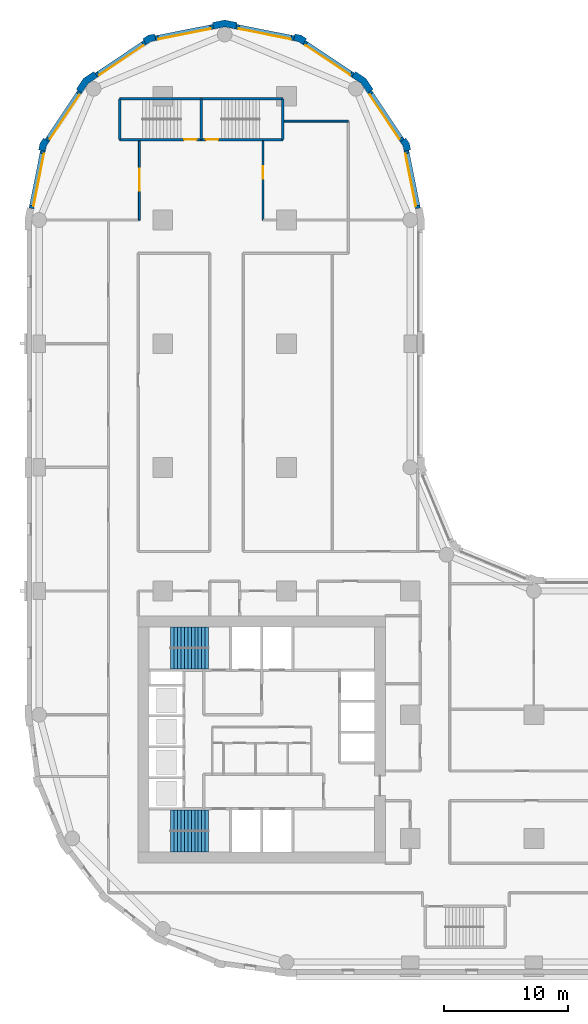
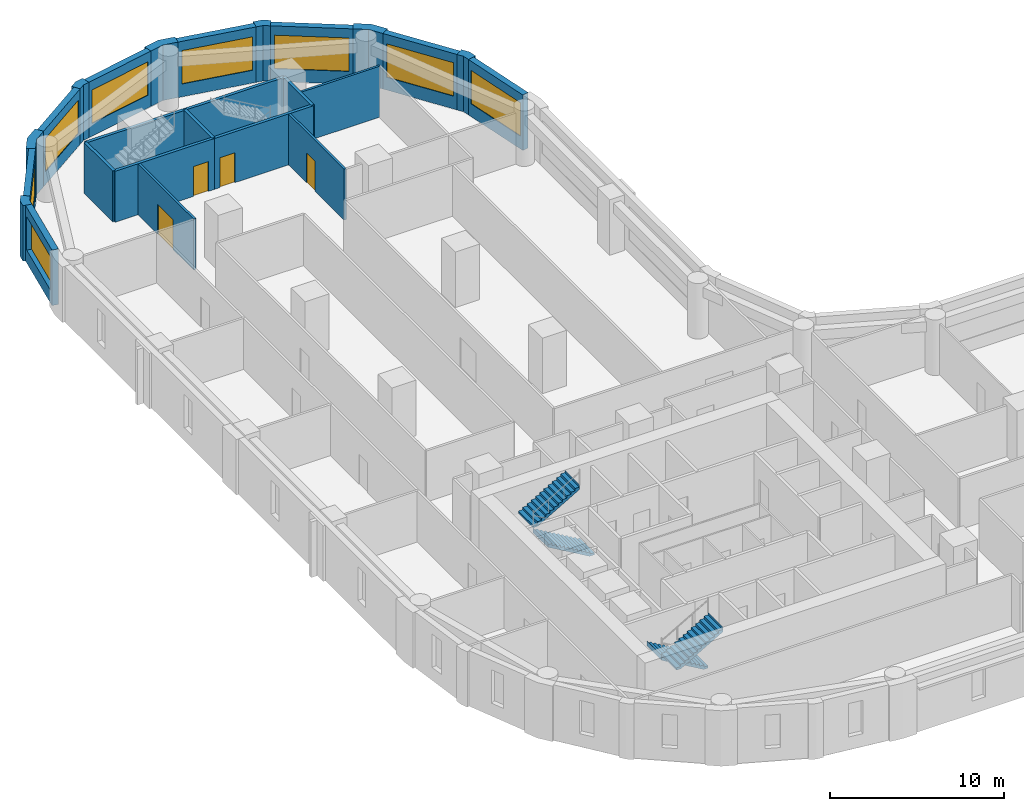
# One storey, part 7 of 10: 25 walls, 8 windows, 4 doors, 4 stair flights, 12 openings, 2 elements without a shape of their own.
"""IFC4 building model written with IfcOpenShell, lengths in metres."""

from ifc_helpers import new_model, si_unit, direction, frame, frame_2d, origin, place, context, subcontext, project, spatial, polyline, rectangle, outline, extrude, material, layer, layer_set, type_object, element, fill, aggregate, save


model = new_model("IFC4")

# Units and contexts
model_context = context("Model", 3, precision=1e-05, world=origin(), true_north=direction((0.0, 1.0)))
body_context = subcontext(model_context, "Body", "Model", "MODEL_VIEW")
ifc_project = project(units=[si_unit("LENGTHUNIT", "METRE"), si_unit("AREAUNIT", "SQUARE_METRE"), si_unit("VOLUMEUNIT", "CUBIC_METRE"), si_unit("PLANEANGLEUNIT", "RADIAN"), si_unit("MASSUNIT", "GRAM", prefix="KILO")], contexts=[model_context])

# Site, building, storey
site_placement = place(None, origin())
site = spatial("IfcSite", under=ifc_project, at=site_placement, CompositionType="ELEMENT")
building_placement = place(site_placement, origin())
building = spatial("IfcBuilding", under=site, at=building_placement, Name="Qaws Garden Tower", CompositionType="ELEMENT")
storey_placement = place(building_placement, frame((0.0, 0.0, 70.5)))
storey = spatial("IfcBuildingStorey", under=building, at=storey_placement, Name="L17", CompositionType="ELEMENT", Elevation=70.5)

# Wall, opening, window
ifc_material_1 = material(Name="Clay facing brick masonry", Category="masonry")
ifc_layer_1 = layer(ifc_material_1, 0.39990234375)
ifc_layer_set_1 = layer_set([ifc_layer_1], Name="Clay facing brick masonry")
wall_type_1 = type_object("IfcWallType", Name="Brick infill wall 400", PredefinedType="SOLIDWALL", material=ifc_layer_set_1)
wall_1_placement = place(storey_placement, frame((30.628662109375, 60.940673828125, 0.0), z_axis=(0.0, 0.0, 1.0), x_axis=(-0.195098533057, 0.98078364709, 0.0)))
wall_1 = element("IfcWall", 1, at=wall_1_placement, inside=storey, type_object=wall_type_1, Name="E-L17-infill-15", PredefinedType="SOLIDWALL", context=body_context, shape_type="SweptSolid", body=[
    extrude(rectangle(XDim=4.752685546875, YDim=0.39990234375, at=frame_2d((2.37646484375, 0.0))), origin(), (0.0, 0.0, 1.0), 3.89990234375),
])
opening_1_placement = place(wall_1_placement, frame((0.226318359375, 0.0, 0.89990234375)))
opening_1 = element("IfcOpeningElement", 2, at=opening_1_placement, cuts=wall_1, Name="Opening W06", PredefinedType="OPENING", context=body_context, shape_type="SweptSolid", body=[
    extrude(rectangle(XDim=4.300048828125, YDim=2.35009765625, at=frame_2d((2.14990234375, 1.175048828125))), frame((0.0, 0.2099609375, 0.0), z_axis=(0.0, -1.0, 0.0), x_axis=(1.0, 0.0, 0.0)), (0.0, 0.0, 1.0), 0.419921875),
])
ifc_material_2 = material(Name="Aluminium framed window, clear glazing", Category="aluminium")
window_type = type_object("IfcWindowType", Name="Ribbon window 4300 x 2350", PartitioningType="DOUBLE_PANEL_VERTICAL", PredefinedType="WINDOW", material=ifc_material_2)
window_1_placement = place(opening_1_placement, origin())
window_1 = element("IfcWindow", 3, at=window_1_placement, inside=storey, type_object=window_type, Name="E-L17-window-15-0", OverallHeight=2.35009765625, OverallWidth=4.300048828125, PartitioningType="SINGLE_PANEL", PredefinedType="WINDOW", context=body_context, shape_type="SweptSolid", body=[
    extrude(rectangle(XDim=4.300048828125, YDim=2.35009765625, at=frame_2d((2.14990234375, 1.175048828125))), frame((0.0, 0.159912109375, 0.0), z_axis=(0.0, -1.0, 0.0), x_axis=(1.0, 0.0, 0.0)), (0.0, 0.0, 1.0), 0.06005859375),
])
fill(opening_1, window_1)

wall_2_placement = place(storey_placement, frame((29.356689453125, 66.43408203125, 0.0), z_axis=(0.0, 0.0, 1.0), x_axis=(-0.555541552266, 0.831488775454, 0.0)))
wall_2 = element("IfcWall", 4, at=wall_2_placement, inside=storey, type_object=wall_type_1, Name="E-L17-infill-16", PredefinedType="SOLIDWALL", context=body_context, shape_type="SweptSolid", body=[
    extrude(rectangle(XDim=4.752685546875, YDim=0.39990234375, at=frame_2d((2.37646484375, 0.0))), origin(), (0.0, 0.0, 1.0), 3.89990234375),
])
opening_2_placement = place(wall_2_placement, frame((0.226318359375, 0.0, 0.89990234375)))
opening_2 = element("IfcOpeningElement", 5, at=opening_2_placement, cuts=wall_2, Name="Opening W06", PredefinedType="OPENING", context=body_context, shape_type="SweptSolid", body=[
    extrude(rectangle(XDim=4.300048828125, YDim=2.35009765625, at=frame_2d((2.14990234375, 1.175048828125))), frame((0.0, 0.2099609375, 0.0), z_axis=(0.0, -1.0, 0.0), x_axis=(1.0, 0.0, 0.0)), (0.0, 0.0, 1.0), 0.419921875),
])
window_2_placement = place(opening_2_placement, origin())
window_2 = element("IfcWindow", 6, at=window_2_placement, inside=storey, type_object=window_type, Name="E-L17-window-16-0", OverallHeight=2.35009765625, OverallWidth=4.300048828125, PartitioningType="SINGLE_PANEL", PredefinedType="WINDOW", context=body_context, shape_type="SweptSolid", body=[
    extrude(rectangle(XDim=4.300048828125, YDim=2.35009765625, at=frame_2d((2.14990234375, 1.175048828125))), frame((0.0, 0.159912109375, 0.0), z_axis=(0.0, -1.0, 0.0), x_axis=(1.0, 0.0, 0.0)), (0.0, 0.0, 1.0), 0.06005859375),
])
fill(opening_2, window_2)

wall_3_placement = place(storey_placement, frame((25.385986328125, 71.71630859375, 0.0), z_axis=(0.0, 0.0, 1.0), x_axis=(-0.831488775454, 0.555541552266, 0.0)))
wall_3 = element("IfcWall", 7, at=wall_3_placement, inside=storey, type_object=wall_type_1, Name="E-L17-infill-17", PredefinedType="SOLIDWALL", context=body_context, shape_type="SweptSolid", body=[
    extrude(rectangle(XDim=4.752685546875, YDim=0.39990234375, at=frame_2d((2.37646484375, 0.0))), origin(), (0.0, 0.0, 1.0), 3.89990234375),
])
opening_3_placement = place(wall_3_placement, frame((0.226318359375, 0.0, 0.89990234375)))
opening_3 = element("IfcOpeningElement", 8, at=opening_3_placement, cuts=wall_3, Name="Opening W06", PredefinedType="OPENING", context=body_context, shape_type="SweptSolid", body=[
    extrude(rectangle(XDim=4.300048828125, YDim=2.35009765625, at=frame_2d((2.14990234375, 1.175048828125))), frame((0.0, 0.2099609375, 0.0), z_axis=(0.0, -1.0, 0.0), x_axis=(1.0, 0.0, 0.0)), (0.0, 0.0, 1.0), 0.419921875),
])
window_3_placement = place(opening_3_placement, origin())
window_3 = element("IfcWindow", 9, at=window_3_placement, inside=storey, type_object=window_type, Name="E-L17-window-17-0", OverallHeight=2.35009765625, OverallWidth=4.300048828125, PartitioningType="SINGLE_PANEL", PredefinedType="WINDOW", context=body_context, shape_type="SweptSolid", body=[
    extrude(rectangle(XDim=4.300048828125, YDim=2.35009765625, at=frame_2d((2.14990234375, 1.175048828125))), frame((0.0, 0.159912109375, 0.0), z_axis=(0.0, -1.0, 0.0), x_axis=(1.0, 0.0, 0.0)), (0.0, 0.0, 1.0), 0.06005859375),
])
fill(opening_3, window_3)

wall_4_placement = place(storey_placement, frame((20.60205078125, 74.701416015625, 0.0), z_axis=(0.0, 0.0, 1.0), x_axis=(-0.98078364709, 0.195098533057, 0.0)))
wall_4 = element("IfcWall", 10, at=wall_4_placement, inside=storey, type_object=wall_type_1, Name="E-L17-infill-18", PredefinedType="SOLIDWALL", context=body_context, shape_type="SweptSolid", body=[
    extrude(rectangle(XDim=4.752685546875, YDim=0.39990234375, at=frame_2d((2.37646484375, 0.0))), origin(), (0.0, 0.0, 1.0), 3.89990234375),
])
opening_4_placement = place(wall_4_placement, frame((0.226318359375, 0.0, 0.89990234375)))
opening_4 = element("IfcOpeningElement", 11, at=opening_4_placement, cuts=wall_4, Name="Opening W06", PredefinedType="OPENING", context=body_context, shape_type="SweptSolid", body=[
    extrude(rectangle(XDim=4.300048828125, YDim=2.35009765625, at=frame_2d((2.14990234375, 1.175048828125))), frame((0.0, 0.2099609375, 0.0), z_axis=(0.0, -1.0, 0.0), x_axis=(1.0, 0.0, 0.0)), (0.0, 0.0, 1.0), 0.419921875),
])
window_4_placement = place(opening_4_placement, origin())
window_4 = element("IfcWindow", 12, at=window_4_placement, inside=storey, type_object=window_type, Name="E-L17-window-18-0", OverallHeight=2.35009765625, OverallWidth=4.300048828125, PartitioningType="SINGLE_PANEL", PredefinedType="WINDOW", context=body_context, shape_type="SweptSolid", body=[
    extrude(rectangle(XDim=4.300048828125, YDim=2.35009765625, at=frame_2d((2.14990234375, 1.175048828125))), frame((0.0, 0.159912109375, 0.0), z_axis=(0.0, -1.0, 0.0), x_axis=(1.0, 0.0, 0.0)), (0.0, 0.0, 1.0), 0.06005859375),
])
fill(opening_4, window_4)

wall_5_placement = place(storey_placement, frame((14.059326171875, 75.628662109375, 0.0), z_axis=(0.0, 0.0, 1.0), x_axis=(-0.98078364709, -0.195098533057, 0.0)))
wall_5 = element("IfcWall", 13, at=wall_5_placement, inside=storey, type_object=wall_type_1, Name="E-L17-infill-19", PredefinedType="SOLIDWALL", context=body_context, shape_type="SweptSolid", body=[
    extrude(rectangle(XDim=4.752685546875, YDim=0.39990234375, at=frame_2d((2.37646484375, 0.0))), origin(), (0.0, 0.0, 1.0), 3.89990234375),
])
opening_5_placement = place(wall_5_placement, frame((0.226318359375, 0.0, 0.89990234375)))
opening_5 = element("IfcOpeningElement", 14, at=opening_5_placement, cuts=wall_5, Name="Opening W06", PredefinedType="OPENING", context=body_context, shape_type="SweptSolid", body=[
    extrude(rectangle(XDim=4.300048828125, YDim=2.35009765625, at=frame_2d((2.14990234375, 1.175048828125))), frame((0.0, 0.2099609375, 0.0), z_axis=(0.0, -1.0, 0.0), x_axis=(1.0, 0.0, 0.0)), (0.0, 0.0, 1.0), 0.419921875),
])
window_5_placement = place(opening_5_placement, origin())
window_5 = element("IfcWindow", 15, at=window_5_placement, inside=storey, type_object=window_type, Name="E-L17-window-19-0", OverallHeight=2.35009765625, OverallWidth=4.300048828125, PartitioningType="SINGLE_PANEL", PredefinedType="WINDOW", context=body_context, shape_type="SweptSolid", body=[
    extrude(rectangle(XDim=4.300048828125, YDim=2.35009765625, at=frame_2d((2.14990234375, 1.175048828125))), frame((0.0, 0.159912109375, 0.0), z_axis=(0.0, -1.0, 0.0), x_axis=(1.0, 0.0, 0.0)), (0.0, 0.0, 1.0), 0.06005859375),
])
fill(opening_5, window_5)

wall_6_placement = place(storey_placement, frame((8.56591796875, 74.356689453125, 0.0), z_axis=(0.0, 0.0, 1.0), x_axis=(-0.831488775454, -0.555541552266, 0.0)))
wall_6 = element("IfcWall", 16, at=wall_6_placement, inside=storey, type_object=wall_type_1, Name="E-L17-infill-20", PredefinedType="SOLIDWALL", context=body_context, shape_type="SweptSolid", body=[
    extrude(rectangle(XDim=4.752685546875, YDim=0.39990234375, at=frame_2d((2.37646484375, 0.0))), origin(), (0.0, 0.0, 1.0), 3.89990234375),
])
opening_6_placement = place(wall_6_placement, frame((0.226318359375, 0.0, 0.89990234375)))
opening_6 = element("IfcOpeningElement", 17, at=opening_6_placement, cuts=wall_6, Name="Opening W06", PredefinedType="OPENING", context=body_context, shape_type="SweptSolid", body=[
    extrude(rectangle(XDim=4.300048828125, YDim=2.35009765625, at=frame_2d((2.14990234375, 1.175048828125))), frame((0.0, 0.2099609375, 0.0), z_axis=(0.0, -1.0, 0.0), x_axis=(1.0, 0.0, 0.0)), (0.0, 0.0, 1.0), 0.419921875),
])
window_6_placement = place(opening_6_placement, origin())
window_6 = element("IfcWindow", 18, at=window_6_placement, inside=storey, type_object=window_type, Name="E-L17-window-20-0", OverallHeight=2.35009765625, OverallWidth=4.300048828125, PartitioningType="SINGLE_PANEL", PredefinedType="WINDOW", context=body_context, shape_type="SweptSolid", body=[
    extrude(rectangle(XDim=4.300048828125, YDim=2.35009765625, at=frame_2d((2.14990234375, 1.175048828125))), frame((0.0, 0.159912109375, 0.0), z_axis=(0.0, -1.0, 0.0), x_axis=(1.0, 0.0, 0.0)), (0.0, 0.0, 1.0), 0.06005859375),
])
fill(opening_6, window_6)

wall_7_placement = place(storey_placement, frame((3.28369140625, 70.385986328125, 0.0), z_axis=(0.0, 0.0, 1.0), x_axis=(-0.555541552266, -0.831488775454, 0.0)))
wall_7 = element("IfcWall", 19, at=wall_7_placement, inside=storey, type_object=wall_type_1, Name="E-L17-infill-21", PredefinedType="SOLIDWALL", context=body_context, shape_type="SweptSolid", body=[
    extrude(rectangle(XDim=4.752685546875, YDim=0.39990234375, at=frame_2d((2.37646484375, 0.0))), origin(), (0.0, 0.0, 1.0), 3.89990234375),
])
opening_7_placement = place(wall_7_placement, frame((0.226318359375, 0.0, 0.89990234375)))
opening_7 = element("IfcOpeningElement", 20, at=opening_7_placement, cuts=wall_7, Name="Opening W06", PredefinedType="OPENING", context=body_context, shape_type="SweptSolid", body=[
    extrude(rectangle(XDim=4.300048828125, YDim=2.35009765625, at=frame_2d((2.14990234375, 1.175048828125))), frame((0.0, 0.2099609375, 0.0), z_axis=(0.0, -1.0, 0.0), x_axis=(1.0, 0.0, 0.0)), (0.0, 0.0, 1.0), 0.419921875),
])
window_7_placement = place(opening_7_placement, origin())
window_7 = element("IfcWindow", 21, at=window_7_placement, inside=storey, type_object=window_type, Name="E-L17-window-21-0", OverallHeight=2.35009765625, OverallWidth=4.300048828125, PartitioningType="SINGLE_PANEL", PredefinedType="WINDOW", context=body_context, shape_type="SweptSolid", body=[
    extrude(rectangle(XDim=4.300048828125, YDim=2.35009765625, at=frame_2d((2.14990234375, 1.175048828125))), frame((0.0, 0.159912109375, 0.0), z_axis=(0.0, -1.0, 0.0), x_axis=(1.0, 0.0, 0.0)), (0.0, 0.0, 1.0), 0.06005859375),
])
fill(opening_7, window_7)

wall_8_placement = place(storey_placement, frame((0.298583984375, 65.60205078125, 0.0), z_axis=(0.0, 0.0, 1.0), x_axis=(-0.195098533057, -0.98078364709, 0.0)))
wall_8 = element("IfcWall", 22, at=wall_8_placement, inside=storey, type_object=wall_type_1, Name="E-L17-infill-22", PredefinedType="SOLIDWALL", context=body_context, shape_type="SweptSolid", body=[
    extrude(rectangle(XDim=4.752685546875, YDim=0.39990234375, at=frame_2d((2.37646484375, 0.0))), origin(), (0.0, 0.0, 1.0), 3.89990234375),
])
opening_8_placement = place(wall_8_placement, frame((0.226318359375, 0.0, 0.89990234375)))
opening_8 = element("IfcOpeningElement", 23, at=opening_8_placement, cuts=wall_8, Name="Opening W06", PredefinedType="OPENING", context=body_context, shape_type="SweptSolid", body=[
    extrude(rectangle(XDim=4.300048828125, YDim=2.35009765625, at=frame_2d((2.14990234375, 1.175048828125))), frame((0.0, 0.2099609375, 0.0), z_axis=(0.0, -1.0, 0.0), x_axis=(1.0, 0.0, 0.0)), (0.0, 0.0, 1.0), 0.419921875),
])
window_8_placement = place(opening_8_placement, origin())
window_8 = element("IfcWindow", 24, at=window_8_placement, inside=storey, type_object=window_type, Name="E-L17-window-22-0", OverallHeight=2.35009765625, OverallWidth=4.300048828125, PartitioningType="SINGLE_PANEL", PredefinedType="WINDOW", context=body_context, shape_type="SweptSolid", body=[
    extrude(rectangle(XDim=4.300048828125, YDim=2.35009765625, at=frame_2d((2.14990234375, 1.175048828125))), frame((0.0, 0.159912109375, 0.0), z_axis=(0.0, -1.0, 0.0), x_axis=(1.0, 0.0, 0.0)), (0.0, 0.0, 1.0), 0.06005859375),
])
fill(opening_8, window_8)

# Walls
ifc_material_3 = material(Name="Clay facing brick masonry", Category="masonry")
ifc_layer_2 = layer(ifc_material_3, 0.550048828125)
ifc_layer_set_2 = layer_set([ifc_layer_2], Name="Clay facing brick masonry")
wall_type_2 = type_object("IfcWallType", Name="Brick kink pier 550 x 600", PredefinedType="SOLIDWALL", material=ifc_layer_set_2)
placement = place(storey_placement, origin())
element("IfcWall", 25, at=placement, inside=storey, type_object=wall_type_2, Name="E-L17-pier-16", PredefinedType="SOLIDWALL", context=body_context, shape_type="SweptSolid", body=[
    extrude(outline(polyline([(29.8974609375, 65.64111328125), (30.044677734375, 65.67041015625), (29.94140625, 66.18896484375), (29.647705078125, 66.628662109375), (29.52294921875, 66.545166015625), (29.1904296875, 66.322998046875), (29.42333984375, 65.974365234375), (29.505126953125, 65.56298828125), (29.8974609375, 65.64111328125)])), origin(), (0.0, 0.0, 1.0), 3.89990234375),
])
element("IfcWall", 26, at=placement, inside=storey, type_object=wall_type_2, Name="E-L17-pier-18", PredefinedType="SOLIDWALL", context=body_context, shape_type="SweptSolid", body=[
    extrude(outline(polyline([(21.545166015625, 74.52294921875), (21.628662109375, 74.647705078125), (21.18896484375, 74.94140625), (20.67041015625, 75.044677734375), (20.64111328125, 74.8974609375), (20.56298828125, 74.505126953125), (20.974365234375, 74.42333984375), (21.322998046875, 74.1904296875), (21.545166015625, 74.52294921875)])), origin(), (0.0, 0.0, 1.0), 3.89990234375),
])
element("IfcWall", 27, at=placement, inside=storey, type_object=wall_type_2, Name="E-L17-pier-20", PredefinedType="SOLIDWALL", context=body_context, shape_type="SweptSolid", body=[
    extrude(outline(polyline([(9.35888671875, 74.8974609375), (9.32958984375, 75.044677734375), (8.81103515625, 74.94140625), (8.371337890625, 74.647705078125), (8.454833984375, 74.52294921875), (8.677001953125, 74.1904296875), (9.025634765625, 74.42333984375), (9.43701171875, 74.505126953125), (9.35888671875, 74.8974609375)])), origin(), (0.0, 0.0, 1.0), 3.89990234375),
])
element("IfcWall", 28, at=placement, inside=storey, type_object=wall_type_2, Name="E-L17-pier-22", PredefinedType="SOLIDWALL", context=body_context, shape_type="SweptSolid", body=[
    extrude(outline(polyline([(0.47705078125, 66.545166015625), (0.352294921875, 66.628662109375), (0.05859375, 66.18896484375), (-0.044677734375, 65.67041015625), (0.1025390625, 65.64111328125), (0.494873046875, 65.56298828125), (0.57666015625, 65.974365234375), (0.8095703125, 66.322998046875), (0.47705078125, 66.545166015625)])), origin(), (0.0, 0.0, 1.0), 3.89990234375),
])
ifc_material_4 = material(Name="Clay facing brick masonry", Category="masonry")
ifc_layer_3 = layer(ifc_material_4, 0.550048828125)
ifc_layer_set_3 = layer_set([ifc_layer_3], Name="Clay facing brick masonry")
wall_type_3 = type_object("IfcWallType", Name="Brick pier 550 x 1600", PredefinedType="SOLIDWALL", material=ifc_layer_set_3)
element("IfcWall", 29, at=placement, inside=storey, type_object=wall_type_3, Name="E-L17-pier-17", PredefinedType="SOLIDWALL", context=body_context, shape_type="SweptSolid", body=[
    extrude(outline(polyline([(26.882568359375, 70.4970703125), (27.00732421875, 70.580322265625), (26.435791015625, 71.435791015625), (25.580322265625, 72.00732421875), (25.4970703125, 71.882568359375), (25.274658203125, 71.550048828125), (26.0390625, 71.0390625), (26.550048828125, 70.274658203125), (26.882568359375, 70.4970703125)])), origin(), (0.0, 0.0, 1.0), 3.89990234375),
])
element("IfcWall", 30, at=placement, inside=storey, type_object=wall_type_3, Name="E-L17-pier-19", PredefinedType="SOLIDWALL", context=body_context, shape_type="SweptSolid", body=[
    extrude(outline(polyline([(15.979736328125, 75.82470703125), (16.009033203125, 75.971923828125), (15.0, 76.172607421875), (13.990966796875, 75.971923828125), (14.020263671875, 75.82470703125), (14.098388671875, 75.432373046875), (15.0, 75.61181640625), (15.901611328125, 75.432373046875), (15.979736328125, 75.82470703125)])), origin(), (0.0, 0.0, 1.0), 3.89990234375),
])
element("IfcWall", 31, at=placement, inside=storey, type_object=wall_type_3, Name="E-L17-pier-21", PredefinedType="SOLIDWALL", context=body_context, shape_type="SweptSolid", body=[
    extrude(outline(polyline([(4.5029296875, 71.882568359375), (4.419677734375, 72.00732421875), (3.564208984375, 71.435791015625), (2.99267578125, 70.580322265625), (3.117431640625, 70.4970703125), (3.449951171875, 70.274658203125), (3.9609375, 71.0390625), (4.725341796875, 71.550048828125), (4.5029296875, 71.882568359375)])), origin(), (0.0, 0.0, 1.0), 3.89990234375),
])

# Wall, opening, door
ifc_material_5 = material(Name="Concrete C80", Category="concrete")
ifc_layer_4 = layer(ifc_material_5, 0.199951171875)
ifc_layer_set_4 = layer_set([ifc_layer_4], Name="Concrete C80")
wall_type_4 = type_object("IfcWallType", Name="Core shaft wall 200 C80", PredefinedType="SHEAR", material=ifc_layer_set_4)
wall_16_placement = place(storey_placement, frame((6.5, 66.5, 0.0), z_axis=(0.0, 0.0, 1.0), x_axis=(1.0, 0.0, 0.0)))
wall_16 = element("IfcWall", 32, at=wall_16_placement, inside=storey, type_object=wall_type_4, Name="Shaft wall", PredefinedType="SHEAR", context=body_context, shape_type="SweptSolid", body=[
    extrude(rectangle(XDim=6.60009765625, YDim=0.199951171875, at=frame_2d((3.300048828125, 0.0))), origin(), (0.0, 0.0, 1.0), 3.580078125),
])
opening_9_placement = place(wall_16_placement, frame((5.22509765625, 0.0, 0.0)))
opening_9 = element("IfcOpeningElement", 33, at=opening_9_placement, cuts=wall_16, Name="Opening SD13", PredefinedType="OPENING", context=body_context, shape_type="SweptSolid", body=[
    extrude(rectangle(XDim=1.0, YDim=2.10009765625, at=frame_2d((0.5, 1.050048828125))), frame((0.0, 0.10986328125, 0.0), z_axis=(0.0, -1.0, 0.0), x_axis=(1.0, 0.0, 0.0)), (0.0, 0.0, 1.0), 0.219970703125),
])
ifc_material_6 = material(Name="Steel S235", Category="steel")
door_type_1 = type_object("IfcDoorType", Name="Stair door 1000x2100", OperationType="SINGLE_SWING_RIGHT", PredefinedType="DOOR", material=ifc_material_6)
door_1_placement = place(opening_9_placement, origin())
door_1 = element("IfcDoor", 34, at=door_1_placement, inside=storey, type_object=door_type_1, Name="Stair 6 door", OperationType="SINGLE_SWING_RIGHT", OverallHeight=2.10009765625, OverallWidth=1.0, PredefinedType="DOOR", context=body_context, shape_type="SweptSolid", body=[
    extrude(rectangle(XDim=1.0, YDim=2.10009765625, at=frame_2d((0.5, 1.050048828125))), frame((0.0, 0.02490234375, 0.0), z_axis=(0.0, -1.0, 0.0), x_axis=(1.0, 0.0, 0.0)), (0.0, 0.0, 1.0), 0.050048828125),
])
fill(opening_9, door_1)

wall_17_placement = place(storey_placement, frame((13.10009765625, 66.5, 0.0), z_axis=(0.0, 0.0, 1.0), x_axis=(1.0, 0.0, 0.0)))
wall_17 = element("IfcWall", 35, at=wall_17_placement, inside=storey, type_object=wall_type_4, Name="Shaft wall", PredefinedType="SHEAR", context=body_context, shape_type="SweptSolid", body=[
    extrude(rectangle(XDim=6.599853515625, YDim=0.199951171875, at=frame_2d((3.2998046875, 0.0))), origin(), (0.0, 0.0, 1.0), 3.580078125),
])
opening_10_placement = place(wall_17_placement, frame((0.375, 0.0, 0.0)))
opening_10 = element("IfcOpeningElement", 36, at=opening_10_placement, cuts=wall_17, Name="Opening SD14", PredefinedType="OPENING", context=body_context, shape_type="SweptSolid", body=[
    extrude(rectangle(XDim=1.0, YDim=2.10009765625, at=frame_2d((0.5, 1.050048828125))), frame((0.0, 0.10986328125, 0.0), z_axis=(0.0, -1.0, 0.0), x_axis=(1.0, 0.0, 0.0)), (0.0, 0.0, 1.0), 0.219970703125),
])
door_2_placement = place(opening_10_placement, origin())
door_2 = element("IfcDoor", 37, at=door_2_placement, inside=storey, type_object=door_type_1, Name="Stair 7 door", OperationType="SINGLE_SWING_LEFT", OverallHeight=2.10009765625, OverallWidth=1.0, PredefinedType="DOOR", context=body_context, shape_type="SweptSolid", body=[
    extrude(rectangle(XDim=1.0, YDim=2.10009765625, at=frame_2d((0.5, 1.050048828125))), frame((0.0, 0.02490234375, 0.0), z_axis=(0.0, -1.0, 0.0), x_axis=(1.0, 0.0, 0.0)), (0.0, 0.0, 1.0), 0.050048828125),
])
fill(opening_10, door_2)

# Walls
wall_18_placement = place(storey_placement, frame((6.5, 69.800048828125, 0.0), z_axis=(0.0, 0.0, 1.0), x_axis=(1.0, 0.0, 0.0)))
element("IfcWall", 38, at=wall_18_placement, inside=storey, type_object=wall_type_4, Name="Shaft wall", PredefinedType="SHEAR", context=body_context, shape_type="SweptSolid", body=[
    extrude(rectangle(XDim=6.60009765625, YDim=0.199951171875, at=frame_2d((3.300048828125, 0.0))), origin(), (0.0, 0.0, 1.0), 3.580078125),
])
wall_19_placement = place(storey_placement, frame((13.10009765625, 69.800048828125, 0.0), z_axis=(0.0, 0.0, 1.0), x_axis=(1.0, 0.0, 0.0)))
element("IfcWall", 39, at=wall_19_placement, inside=storey, type_object=wall_type_4, Name="Shaft wall", PredefinedType="SHEAR", context=body_context, shape_type="SweptSolid", body=[
    extrude(rectangle(XDim=6.599853515625, YDim=0.199951171875, at=frame_2d((3.2998046875, 0.0))), origin(), (0.0, 0.0, 1.0), 3.580078125),
])
for number, where, z_axis, x_axis, name in (
    (40, (6.5, 66.5, 0.0), (0.0, 0.0, 1.0), (0.0, 1.0, 0.0), "Shaft wall"),
    (41, (13.10009765625, 66.5, 0.0), (0.0, 0.0, 1.0), (0.0, 1.0, 0.0), "Shaft wall"),
    (42, (19.699951171875, 66.5, 0.0), (0.0, 0.0, 1.0), (0.0, 1.0, 0.0), "Shaft wall"),
):
    element("IfcWall", number, at=place(storey_placement, frame(where, z_axis=z_axis, x_axis=x_axis)), inside=storey, type_object=wall_type_4, Name=name, PredefinedType="SHEAR", context=body_context, shape_type="SweptSolid", body=[
        extrude(rectangle(XDim=3.300048828125, YDim=0.199951171875, at=frame_2d((1.64990234375, 0.0))), origin(), (0.0, 0.0, 1.0), 3.580078125),
    ])

# Wall, opening, door
ifc_material_7 = material(Name="Gypsum board partition")
ifc_layer_5 = layer(ifc_material_7, 0.14990234375)
ifc_layer_set_5 = layer_set([ifc_layer_5], Name="Gypsum board partition")
wall_type_5 = type_object("IfcWallType", Name="PARTITION 150 EI 60", PredefinedType="PARTITIONING", material=ifc_layer_set_5)
wall_20_placement = place(storey_placement, frame((8.10009765625, 60.0, 0.0), z_axis=(0.0, 0.0, 1.0), x_axis=(0.0, 1.0, 0.0)))
wall_20 = element("IfcWall", 43, at=wall_20_placement, inside=storey, type_object=wall_type_5, Name="O-L17-wall-007", PredefinedType="PARTITIONING", context=body_context, shape_type="SweptSolid", body=[
    extrude(rectangle(XDim=6.39990234375, YDim=0.14990234375, at=frame_2d((3.199951171875, 0.0))), origin(), (0.0, 0.0, 1.0), 3.580078125),
])
opening_11_placement = place(wall_20_placement, frame((2.35009765625, 0.0, 0.0)))
opening_11 = element("IfcOpeningElement", 44, at=opening_11_placement, cuts=wall_20, Name="Opening A616", PredefinedType="OPENING", context=body_context, shape_type="SweptSolid", body=[
    extrude(rectangle(XDim=1.800048828125, YDim=2.10009765625, at=frame_2d((0.89990234375, 1.050048828125))), frame((0.0, 0.0849609375, 0.0), z_axis=(0.0, -1.0, 0.0), x_axis=(1.0, 0.0, 0.0)), (0.0, 0.0, 1.0), 0.169921875),
])
ifc_material_8 = material(Name="Timber door leaf", Category="wood")
door_type_2 = type_object("IfcDoorType", Name="DOUBLE DOOR 1800 X 2100", OperationType="DOUBLE_DOOR_SINGLE_SWING", PredefinedType="DOOR", material=ifc_material_8)
door_3_placement = place(opening_11_placement, origin())
door_3 = element("IfcDoor", 45, at=door_3_placement, inside=storey, type_object=door_type_2, Name="O-L17-door-016", OperationType="DOUBLE_DOOR_SINGLE_SWING", OverallHeight=2.10009765625, OverallWidth=1.800048828125, PredefinedType="DOOR", context=body_context, shape_type="SweptSolid", body=[
    extrude(rectangle(XDim=1.800048828125, YDim=2.10009765625, at=frame_2d((0.89990234375, 1.050048828125))), frame((0.0, 0.02490234375, 0.0), z_axis=(0.0, -1.0, 0.0), x_axis=(1.0, 0.0, 0.0)), (0.0, 0.0, 1.0), 0.050048828125),
])
fill(opening_11, door_3)

wall_21_placement = place(storey_placement, frame((18.10009765625, 60.0, 0.0), z_axis=(0.0, 0.0, 1.0), x_axis=(0.0, 1.0, 0.0)))
wall_21 = element("IfcWall", 46, at=wall_21_placement, inside=storey, type_object=wall_type_5, Name="O-L17-wall-012", PredefinedType="PARTITIONING", context=body_context, shape_type="SweptSolid", body=[
    extrude(rectangle(XDim=6.39990234375, YDim=0.14990234375, at=frame_2d((3.199951171875, 0.0))), origin(), (0.0, 0.0, 1.0), 3.580078125),
])
opening_12_placement = place(wall_21_placement, frame((3.35009765625, 0.0, 0.0)))
opening_12 = element("IfcOpeningElement", 47, at=opening_12_placement, cuts=wall_21, Name="Opening A617", PredefinedType="OPENING", context=body_context, shape_type="SweptSolid", body=[
    extrude(rectangle(XDim=1.0, YDim=2.10009765625, at=frame_2d((0.5, 1.050048828125))), frame((0.0, 0.0849609375, 0.0), z_axis=(0.0, -1.0, 0.0), x_axis=(1.0, 0.0, 0.0)), (0.0, 0.0, 1.0), 0.169921875),
])
ifc_material_9 = material(Name="Timber door leaf", Category="wood")
door_type_3 = type_object("IfcDoorType", Name="TENANCY ENTRANCE DOOR 1000 X 2100", OperationType="SINGLE_SWING_LEFT", PredefinedType="DOOR", material=ifc_material_9)
door_4_placement = place(opening_12_placement, frame((1.0, 0.0, 0.0), z_axis=(0.0, 0.0, 1.0), x_axis=(-1.0, 0.0, 0.0)))
door_4 = element("IfcDoor", 48, at=door_4_placement, inside=storey, type_object=door_type_3, Name="O-L17-door-017", OperationType="SINGLE_SWING_RIGHT", OverallHeight=2.10009765625, OverallWidth=1.0, PredefinedType="DOOR", context=body_context, shape_type="SweptSolid", body=[
    extrude(rectangle(XDim=1.0, YDim=2.10009765625, at=frame_2d((0.5, 1.050048828125))), frame((0.0, 0.02490234375, 0.0), z_axis=(0.0, -1.0, 0.0), x_axis=(1.0, 0.0, 0.0)), (0.0, 0.0, 1.0), 0.050048828125),
])
fill(opening_12, door_4)

# Wall
wall_22_placement = place(storey_placement, frame((19.800048828125, 68.0, 0.0), z_axis=(0.0, 0.0, 1.0), x_axis=(1.0, 0.0, 0.0)))
element("IfcWall", 49, at=wall_22_placement, inside=storey, type_object=wall_type_5, Name="O-L17-wall-065", PredefinedType="PARTITIONING", context=body_context, shape_type="SweptSolid", body=[
    extrude(rectangle(XDim=5.199951171875, YDim=0.14990234375, at=frame_2d((2.60009765625, 0.0))), origin(), (0.0, 0.0, 1.0), 3.580078125),
])

# Stair, stair flights
ifc_material_10 = material(Name="Concrete C40", Category="concrete")
stair_type = type_object("IfcStairType", Name="Exit stair 1500", PredefinedType="HALF_TURN_STAIR", material=ifc_material_10)
stair_1 = element("IfcStair", 50, at=placement, inside=storey, type_object=stair_type, Name="Stair 1", PredefinedType="HALF_TURN_STAIR")
ifc_material_11 = material(Name="Concrete C40", Category="concrete")
stair_flight_type = type_object("IfcStairFlightType", Name="Stair flight 1500", PredefinedType="STRAIGHT", material=ifc_material_11)
stair_flight_1_placement = place(storey_placement, frame((13.699951171875, 11.449951171875, 0.0), z_axis=(0.0, 0.0, 1.0), x_axis=(-1.0, 0.0, 0.0)))
stair_flight_1 = element("IfcStairFlight", 51, at=stair_flight_1_placement, type_object=stair_flight_type, Name="ST1 flight 1", NumberOfRisers=12, NumberOfTreads=11, PredefinedType="STRAIGHT", RiserHeight=0.1625, TreadLength=0.28, context=body_context, shape_type="SweptSolid", body=[
    extrude(outline(polyline([(-0.0029296875, 0.0), (-0.0029296875, 0.16259765625), (0.0, 0.16259765625), (0.280029296875, 0.16259765625), (0.280029296875, 0.324951171875), (0.56005859375, 0.324951171875), (0.56005859375, 0.487548828125), (0.840087890625, 0.487548828125), (0.840087890625, 0.64990234375), (1.1201171875, 0.64990234375), (1.1201171875, 0.8125), (1.39990234375, 0.8125), (1.39990234375, 0.97509765625), (1.679931640625, 0.97509765625), (1.679931640625, 1.137451171875), (1.9599609375, 1.137451171875), (1.9599609375, 1.300048828125), (2.239990234375, 1.300048828125), (2.239990234375, 1.46240234375), (2.52001953125, 1.46240234375), (2.52001953125, 1.625), (2.800048828125, 1.625), (2.800048828125, 1.78759765625), (3.080078125, 1.78759765625), (3.080078125, 1.949951171875), (3.0830078125, 1.949951171875), (3.0830078125, 1.6142578125), (3.080078125, 1.6142578125), (0.298583984375, 0.0), (-0.0029296875, 0.0)])), frame((0.0, 0.85009765625, 0.0), z_axis=(0.0, -1.0, 0.0), x_axis=(1.0, 0.0, 0.0)), (0.0, 0.0, 1.0), 1.699951171875),
])
stair_flight_2_placement = place(storey_placement, frame((10.6201171875, 9.75, 1.949951171875), z_axis=(0.0, 0.0, 1.0), x_axis=(1.0, 0.0, 0.0)))
stair_flight_2 = element("IfcStairFlight", 52, at=stair_flight_2_placement, type_object=stair_flight_type, Name="ST1 flight 2", NumberOfRisers=12, NumberOfTreads=11, PredefinedType="STRAIGHT", RiserHeight=0.1625, TreadLength=0.28, context=body_context, shape_type="SweptSolid", body=[
    extrude(outline(polyline([(-0.0029296875, 0.0), (-0.0029296875, 0.16259765625), (0.0, 0.16259765625), (0.280029296875, 0.16259765625), (0.280029296875, 0.324951171875), (0.56005859375, 0.324951171875), (0.56005859375, 0.487548828125), (0.840087890625, 0.487548828125), (0.840087890625, 0.64990234375), (1.1201171875, 0.64990234375), (1.1201171875, 0.8125), (1.39990234375, 0.8125), (1.39990234375, 0.97509765625), (1.679931640625, 0.97509765625), (1.679931640625, 1.137451171875), (1.9599609375, 1.137451171875), (1.9599609375, 1.300048828125), (2.239990234375, 1.300048828125), (2.239990234375, 1.46240234375), (2.52001953125, 1.46240234375), (2.52001953125, 1.625), (2.800048828125, 1.625), (2.800048828125, 1.78759765625), (3.080078125, 1.78759765625), (3.080078125, 1.949951171875), (3.0830078125, 1.949951171875), (3.0830078125, 1.6142578125), (3.080078125, 1.6142578125), (0.298583984375, 0.0), (-0.0029296875, 0.0)])), frame((0.0, 0.85009765625, 0.0), z_axis=(0.0, -1.0, 0.0), x_axis=(1.0, 0.0, 0.0)), (0.0, 0.0, 1.0), 1.699951171875),
])
aggregate(stair_1, [stair_flight_1, stair_flight_2])

stair_2 = element("IfcStair", 53, at=placement, inside=storey, type_object=stair_type, Name="Stair 4", PredefinedType="HALF_TURN_STAIR")
stair_flight_3_placement = place(storey_placement, frame((13.699951171875, 24.550048828125, 0.0), z_axis=(0.0, 0.0, 1.0), x_axis=(-1.0, 0.0, 0.0)))
stair_flight_3 = element("IfcStairFlight", 54, at=stair_flight_3_placement, type_object=stair_flight_type, Name="ST4 flight 1", NumberOfRisers=12, NumberOfTreads=11, PredefinedType="STRAIGHT", RiserHeight=0.1625, TreadLength=0.28, context=body_context, shape_type="SweptSolid", body=[
    extrude(outline(polyline([(-0.0029296875, 0.0), (-0.0029296875, 0.16259765625), (0.0, 0.16259765625), (0.280029296875, 0.16259765625), (0.280029296875, 0.324951171875), (0.56005859375, 0.324951171875), (0.56005859375, 0.487548828125), (0.840087890625, 0.487548828125), (0.840087890625, 0.64990234375), (1.1201171875, 0.64990234375), (1.1201171875, 0.8125), (1.39990234375, 0.8125), (1.39990234375, 0.97509765625), (1.679931640625, 0.97509765625), (1.679931640625, 1.137451171875), (1.9599609375, 1.137451171875), (1.9599609375, 1.300048828125), (2.239990234375, 1.300048828125), (2.239990234375, 1.46240234375), (2.52001953125, 1.46240234375), (2.52001953125, 1.625), (2.800048828125, 1.625), (2.800048828125, 1.78759765625), (3.080078125, 1.78759765625), (3.080078125, 1.949951171875), (3.0830078125, 1.949951171875), (3.0830078125, 1.6142578125), (3.080078125, 1.6142578125), (0.298583984375, 0.0), (-0.0029296875, 0.0)])), frame((0.0, 0.844970703125, 0.0), z_axis=(0.0, -1.0, 0.0), x_axis=(1.0, 0.0, 0.0)), (0.0, 0.0, 1.0), 1.68994140625),
])
stair_flight_4_placement = place(storey_placement, frame((10.6201171875, 26.25, 1.949951171875), z_axis=(0.0, 0.0, 1.0), x_axis=(1.0, 0.0, 0.0)))
stair_flight_4 = element("IfcStairFlight", 55, at=stair_flight_4_placement, type_object=stair_flight_type, Name="ST4 flight 2", NumberOfRisers=12, NumberOfTreads=11, PredefinedType="STRAIGHT", RiserHeight=0.1625, TreadLength=0.28, context=body_context, shape_type="SweptSolid", body=[
    extrude(outline(polyline([(-0.0029296875, 0.0), (-0.0029296875, 0.16259765625), (0.0, 0.16259765625), (0.280029296875, 0.16259765625), (0.280029296875, 0.324951171875), (0.56005859375, 0.324951171875), (0.56005859375, 0.487548828125), (0.840087890625, 0.487548828125), (0.840087890625, 0.64990234375), (1.1201171875, 0.64990234375), (1.1201171875, 0.8125), (1.39990234375, 0.8125), (1.39990234375, 0.97509765625), (1.679931640625, 0.97509765625), (1.679931640625, 1.137451171875), (1.9599609375, 1.137451171875), (1.9599609375, 1.300048828125), (2.239990234375, 1.300048828125), (2.239990234375, 1.46240234375), (2.52001953125, 1.46240234375), (2.52001953125, 1.625), (2.800048828125, 1.625), (2.800048828125, 1.78759765625), (3.080078125, 1.78759765625), (3.080078125, 1.949951171875), (3.0830078125, 1.949951171875), (3.0830078125, 1.6142578125), (3.080078125, 1.6142578125), (0.298583984375, 0.0), (-0.0029296875, 0.0)])), frame((0.0, 0.844970703125, 0.0), z_axis=(0.0, -1.0, 0.0), x_axis=(1.0, 0.0, 0.0)), (0.0, 0.0, 1.0), 1.68994140625),
])
aggregate(stair_2, [stair_flight_3, stair_flight_4])

save(model, "model.ifc")
